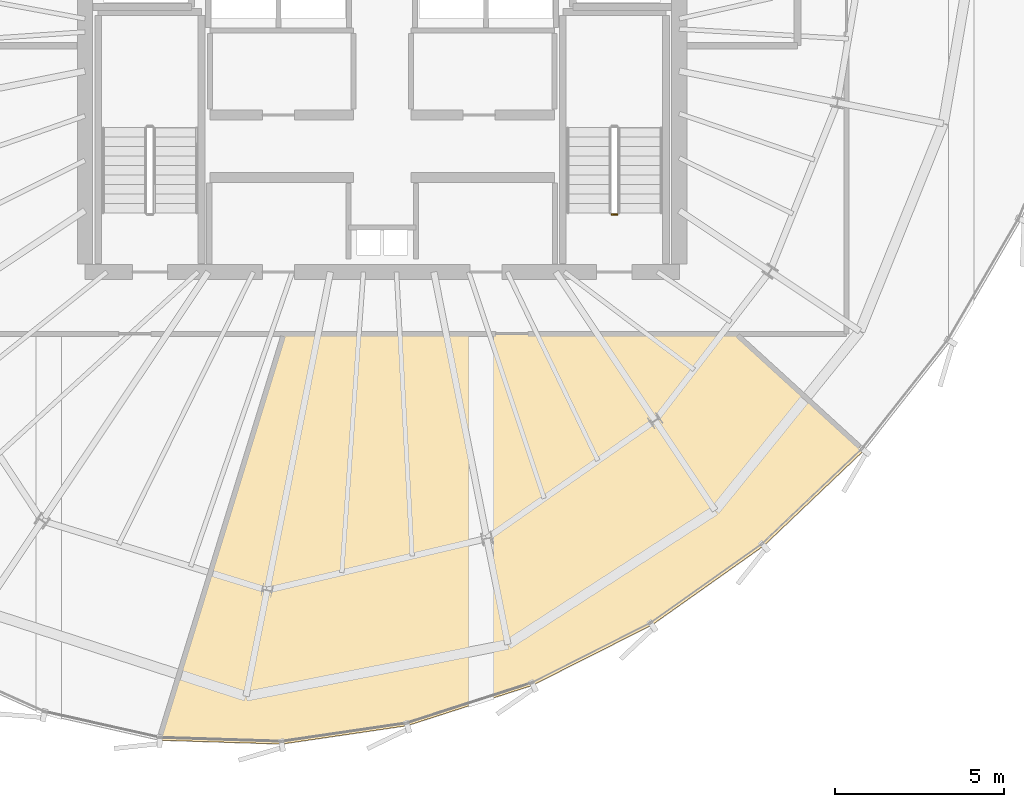
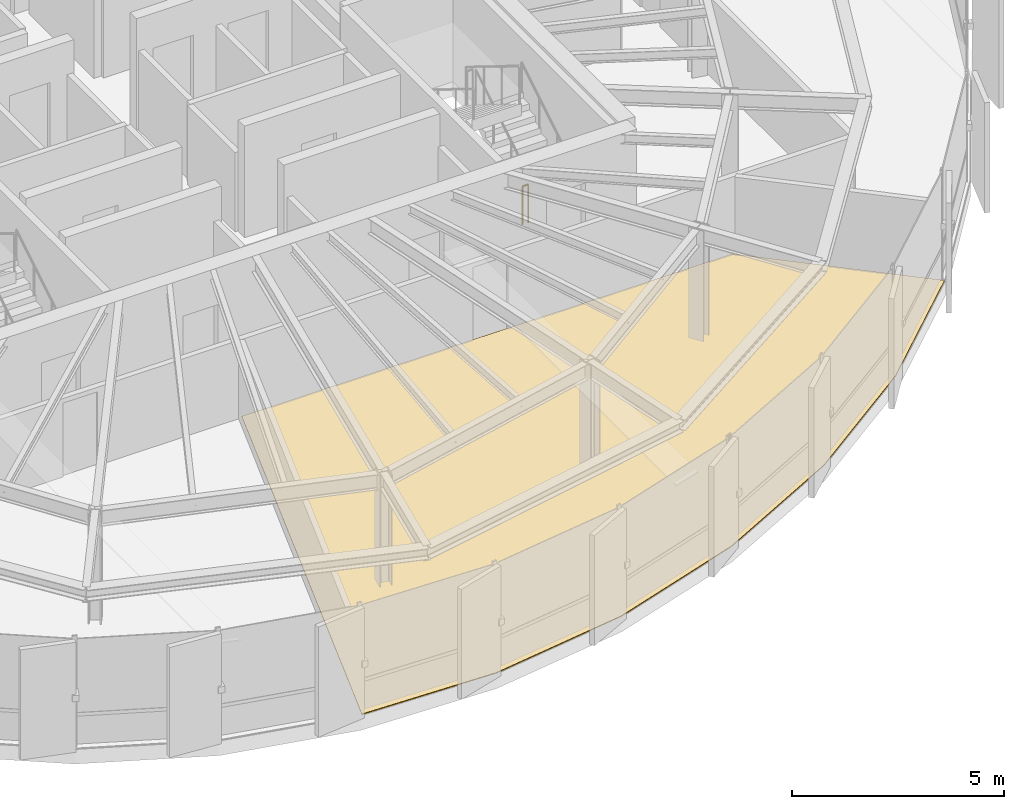
# One storey, part 33 of 36: 1 covering, 1 railing.
"""IFC4 building model written with IfcOpenShell, lengths in metres."""

from ifc_helpers import new_model, si_unit, direction, frame, origin, origin_2d, place, context, subcontext, project, spatial, polyline, circle, outline, extrude, material, layer, layer_set, type_object, element, save


model = new_model("IFC4")

# Units and contexts
model_context = context("Model", 3, precision=1e-05, world=origin(), true_north=direction((0.0, 1.0)))
body_context = subcontext(model_context, "Body", "Model", "MODEL_VIEW")
ifc_project = project(units=[si_unit("LENGTHUNIT", "METRE"), si_unit("AREAUNIT", "SQUARE_METRE"), si_unit("VOLUMEUNIT", "CUBIC_METRE"), si_unit("PLANEANGLEUNIT", "RADIAN"), si_unit("MASSUNIT", "GRAM", prefix="KILO"), si_unit("THERMODYNAMICTEMPERATUREUNIT", "KELVIN")], contexts=[model_context])

# Site, building, storey
site_placement = place(None, origin())
site = spatial("IfcSite", under=ifc_project, at=site_placement, CompositionType="ELEMENT")
building_placement = place(site_placement, origin())
building = spatial("IfcBuilding", under=site, at=building_placement, Name="Kethvar Cultural Tower", CompositionType="ELEMENT")
storey_placement = place(building_placement, frame((0.0, 0.0, 228.39990234375)))
storey = spatial("IfcBuildingStorey", under=building, at=storey_placement, Name="L59", CompositionType="ELEMENT", Elevation=228.39990234375)

# Covering
ifc_material_1 = material(Name="Architectural Oak Timber", Category="wood")
ifc_layer = layer(ifc_material_1, 0.02490234375, Name="Architectural Oak Timber", Category="wood")
ifc_layer_set = layer_set([ifc_layer], Name="Architectural Oak Timber (25 mm)")
covering_type = type_object("IfcCoveringType", Name="CV-OAK-FLOOR", PredefinedType="FLOORING", material=ifc_layer_set)
covering_placement = place(storey_placement, origin())
element("IfcCovering", 1, at=covering_placement, inside=storey, type_object=covering_type, Name="L59 Room 02 Floor Finish", PredefinedType="FLOORING", context=body_context, shape_type="SweptSolid", body=[
    extrude(outline(polyline([(61.054443359375, 14.80224609375), (58.10107421875, 11.989990234375), (54.78955078125, 9.644287109375), (51.235107421875, 7.850341796875), (47.54638671875, 6.662841796875), (43.8349609375, 6.11767578125), (40.238037109375, 6.230712890625), (43.906005859375, 18.2490234375), (57.2666015625, 18.2490234375), (61.054443359375, 14.80224609375)])), origin(), (0.0, 0.0, 1.0), 0.025146484375),
])

# Railing
ifc_material_2 = material(Name="Steel S355J2", Category="steel")
railing_type = type_object("IfcRailingType", Name="RL-STAIR-GUARD", PredefinedType="BALUSTRADE", material=ifc_material_2)
railing_placement = place(storey_placement, frame((53.760009765625, 21.800048828125, 0.0)))
element("IfcRailing", 2, at=railing_placement, inside=storey, type_object=railing_type, Name="L59 ST-02 stair guard 4", PredefinedType="BALUSTRADE", context=body_context, shape_type="SweptSolid", body=[
    extrude(circle(Radius=0.02392578125, at=origin_2d()), frame((0.0, 0.0, 1.09619140625), z_axis=(-1.0, 0.0, 0.0), x_axis=(0.0, -1.0, 0.0)), (0.0, 0.0, 1.0), 0.159912109375),
    extrude(circle(Radius=0.02099609375, at=origin_2d()), origin(), (0.0, 0.0, 1.0), 1.072021484375),
    extrude(circle(Radius=0.02099609375, at=origin_2d()), frame((-0.159912109375, 0.0, 0.0)), (0.0, 0.0, 1.0), 1.072021484375),
])

save(model, "model.ifc")
